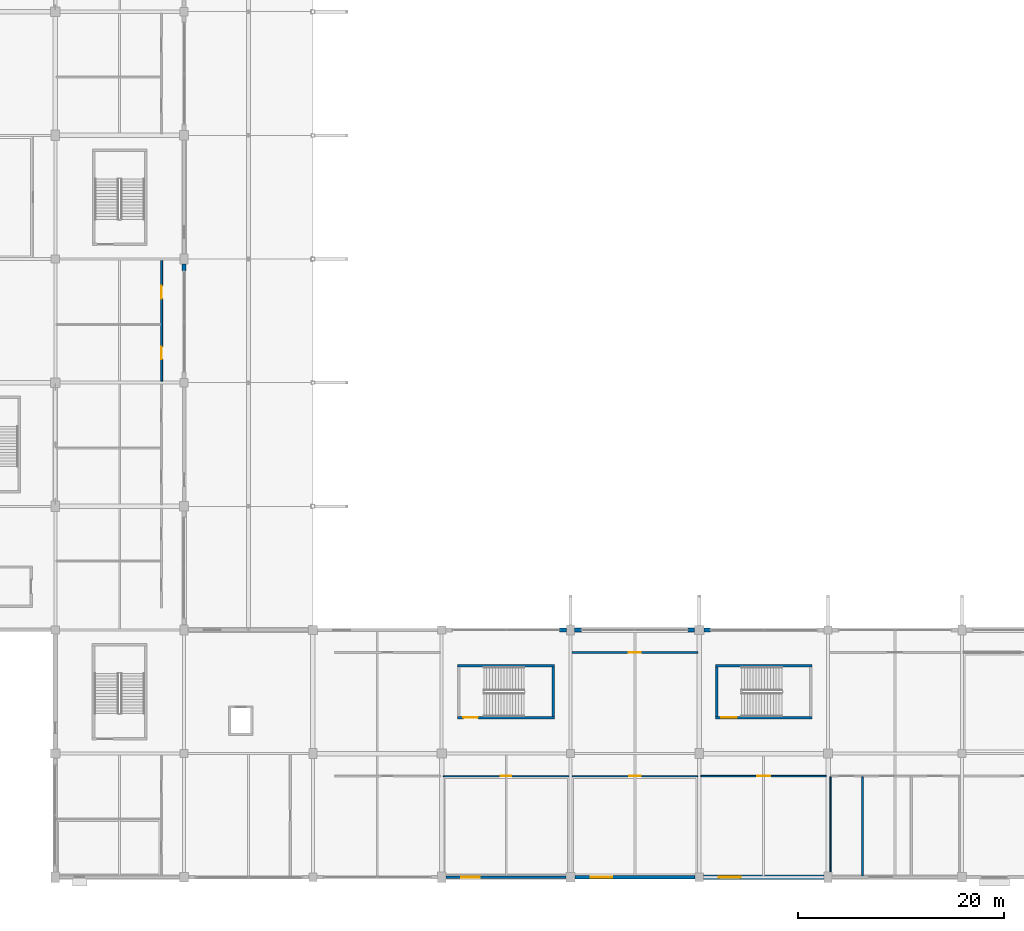
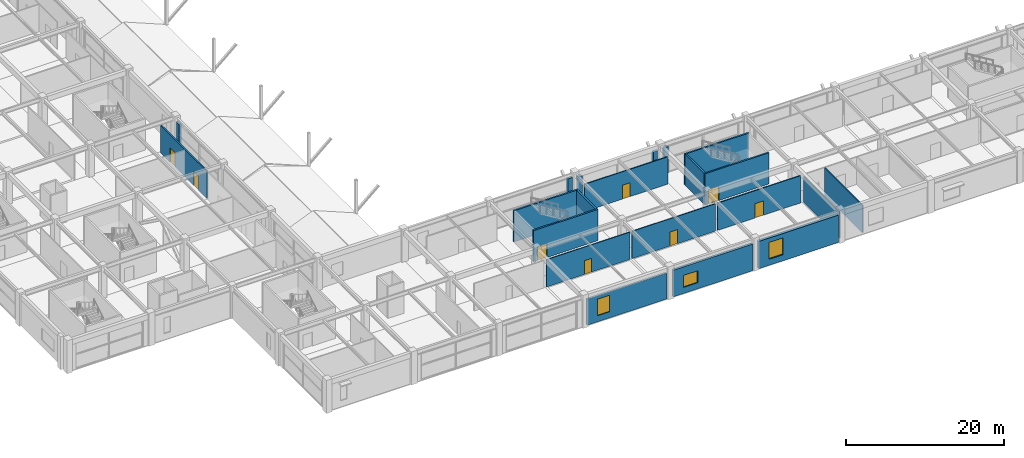
# One storey, part 68 of 116: 21 walls, 8 doors, 3 windows, 11 openings.
"""IFC4 building model written with IfcOpenShell, lengths in metres."""

from ifc_helpers import new_model, si_unit, direction, frame, frame_2d, origin, place, context, subcontext, project, spatial, rectangle, extrude, material, layer, layer_set, type_object, element, fill, save


model = new_model("IFC4")

# Units and contexts
model_context = context("Model", 3, precision=1e-05, world=origin(), true_north=direction((0.0, 1.0)))
body_context = subcontext(model_context, "Body", "Model", "MODEL_VIEW")
ifc_project = project(units=[si_unit("LENGTHUNIT", "METRE"), si_unit("AREAUNIT", "SQUARE_METRE"), si_unit("VOLUMEUNIT", "CUBIC_METRE"), si_unit("PLANEANGLEUNIT", "RADIAN"), si_unit("MASSUNIT", "GRAM", prefix="KILO")], contexts=[model_context])

# Site, building, storey
site_placement = place(None, origin())
site = spatial("IfcSite", under=ifc_project, at=site_placement, CompositionType="ELEMENT")
building_placement = place(site_placement, origin())
building = spatial("IfcBuilding", under=site, at=building_placement, Name="Kazenohara Klinker Stadium", CompositionType="ELEMENT")
storey_placement = place(building_placement, frame((0.0, 0.0, 10.199951171875)))
storey = spatial("IfcBuildingStorey", under=building, at=storey_placement, Name="L02", CompositionType="ELEMENT", Elevation=10.199951171875)

# Wall, opening, door
ifc_material_1 = material(Name="Concrete C40/50", Category="concrete")
ifc_layer_1 = layer(ifc_material_1, 0.22998046875)
ifc_layer_set_1 = layer_set([ifc_layer_1], Name="Concrete C40/50")
wall_type_1 = type_object("IfcWallType", Name="WAL-CORE-230", PredefinedType="SHEAR", material=ifc_layer_set_1)
wall_1_placement = place(storey_placement, frame((88.070068359375, 27.485107421875, 0.0), z_axis=(0.0, 0.0, 1.0), x_axis=(1.0, 0.0, 0.0)))
wall_1 = element("IfcWall", 1, at=wall_1_placement, inside=storey, type_object=wall_type_1, Name="Stairwell shear wall ST26 L02 South", PredefinedType="SHEAR", context=body_context, shape_type="SweptSolid", body=[
    extrude(rectangle(XDim=9.35986328125, YDim=0.22998046875, at=frame_2d((4.679931640625, 0.0))), origin(), (0.0, 0.0, 1.0), 4.820068359375),
])
opening_1_placement = place(wall_1_placement, frame((0.550048828125, 0.0, 0.0)))
opening_1 = element("IfcOpeningElement", 2, at=opening_1_placement, cuts=wall_1, Name="Opening SD02", PredefinedType="OPENING", context=body_context, shape_type="SweptSolid", body=[
    extrude(rectangle(XDim=1.5, YDim=2.199951171875, at=frame_2d((0.75, 1.10009765625))), frame((0.0, 0.125, 0.0), z_axis=(0.0, -1.0, 0.0), x_axis=(1.0, 0.0, 0.0)), (0.0, 0.0, 1.0), 0.25),
])
ifc_material_2 = material(Name="Flush painted steel fire door leaf", Category="steel")
door_type_1 = type_object("IfcDoorType", Name="DR-STR-1500x2200", OperationType="NOTDEFINED", PredefinedType="DOOR", material=ifc_material_2)
door_1_placement = place(opening_1_placement, origin())
door_1 = element("IfcDoor", 3, at=door_1_placement, inside=storey, type_object=door_type_1, Name="Escape stairwell fire door ST26-L02", OperationType="SINGLE_SWING_LEFT", OverallHeight=2.199951171875, OverallWidth=1.5, PredefinedType="DOOR", context=body_context, shape_type="SweptSolid", body=[
    extrude(rectangle(XDim=1.5, YDim=2.199951171875, at=frame_2d((0.75, 1.10009765625))), frame((0.0, 0.02490234375, 0.0), z_axis=(0.0, -1.0, 0.0), x_axis=(1.0, 0.0, 0.0)), (0.0, 0.0, 1.0), 0.050048828125),
])
fill(opening_1, door_1)

# Walls
wall_2_placement = place(storey_placement, frame((88.070068359375, 32.514892578125, 0.0), z_axis=(0.0, 0.0, 1.0), x_axis=(1.0, 0.0, 0.0)))
element("IfcWall", 4, at=wall_2_placement, inside=storey, type_object=wall_type_1, Name="Stairwell shear wall ST26 L02 North", PredefinedType="SHEAR", context=body_context, shape_type="SweptSolid", body=[
    extrude(rectangle(XDim=9.35986328125, YDim=0.22998046875, at=frame_2d((4.679931640625, 0.0))), origin(), (0.0, 0.0, 1.0), 4.820068359375),
])
wall_3_placement = place(storey_placement, frame((88.18505859375, 27.60009765625, 0.0), z_axis=(0.0, 0.0, 1.0), x_axis=(0.0, 1.0, 0.0)))
element("IfcWall", 5, at=wall_3_placement, inside=storey, type_object=wall_type_1, Name="Stairwell shear wall ST26 L02 West", PredefinedType="SHEAR", context=body_context, shape_type="SweptSolid", body=[
    extrude(rectangle(XDim=4.7998046875, YDim=0.22998046875, at=frame_2d((2.39990234375, 0.0))), origin(), (0.0, 0.0, 1.0), 4.820068359375),
])

# Wall, opening, door
ifc_layer_2 = layer(ifc_material_1, 0.25)
ifc_layer_set_2 = layer_set([ifc_layer_2], Name="Concrete C40/50")
wall_type_2 = type_object("IfcWallType", Name="WAL-CORE-250", PredefinedType="SHEAR", material=ifc_layer_set_2)
wall_4_placement = place(storey_placement, frame((63.050048828125, 27.485107421875, 0.0), z_axis=(0.0, 0.0, 1.0), x_axis=(1.0, 0.0, 0.0)))
wall_4 = element("IfcWall", 6, at=wall_4_placement, inside=storey, type_object=wall_type_2, Name="Stairwell shear wall ST25 L02 South", PredefinedType="SHEAR", context=body_context, shape_type="SweptSolid", body=[
    extrude(rectangle(XDim=9.39990234375, YDim=0.25, at=frame_2d((4.699951171875, 0.0))), origin(), (0.0, 0.0, 1.0), 4.820068359375),
])
opening_2_placement = place(wall_4_placement, frame((0.550048828125, 0.0, 0.0)))
opening_2 = element("IfcOpeningElement", 7, at=opening_2_placement, cuts=wall_4, Name="Opening SD01", PredefinedType="OPENING", context=body_context, shape_type="SweptSolid", body=[
    extrude(rectangle(XDim=1.39990234375, YDim=2.14990234375, at=frame_2d((0.699951171875, 1.074951171875))), frame((0.0, 0.135009765625, 0.0), z_axis=(0.0, -1.0, 0.0), x_axis=(1.0, 0.0, 0.0)), (0.0, 0.0, 1.0), 0.27001953125),
])
door_type_2 = type_object("IfcDoorType", Name="DR-STR-1400x2150", OperationType="NOTDEFINED", PredefinedType="DOOR", material=ifc_material_2)
door_2_placement = place(opening_2_placement, origin())
door_2 = element("IfcDoor", 8, at=door_2_placement, inside=storey, type_object=door_type_2, Name="Escape stairwell fire door ST25-L02", OperationType="SINGLE_SWING_LEFT", OverallHeight=2.14990234375, OverallWidth=1.39990234375, PredefinedType="DOOR", context=body_context, shape_type="SweptSolid", body=[
    extrude(rectangle(XDim=1.39990234375, YDim=2.14990234375, at=frame_2d((0.699951171875, 1.074951171875))), frame((0.0, 0.02490234375, 0.0), z_axis=(0.0, -1.0, 0.0), x_axis=(1.0, 0.0, 0.0)), (0.0, 0.0, 1.0), 0.050048828125),
])
fill(opening_2, door_2)

# Walls
wall_5_placement = place(storey_placement, frame((63.050048828125, 32.514892578125, 0.0), z_axis=(0.0, 0.0, 1.0), x_axis=(1.0, 0.0, 0.0)))
element("IfcWall", 9, at=wall_5_placement, inside=storey, type_object=wall_type_2, Name="Stairwell shear wall ST25 L02 North", PredefinedType="SHEAR", context=body_context, shape_type="SweptSolid", body=[
    extrude(rectangle(XDim=9.39990234375, YDim=0.25, at=frame_2d((4.699951171875, 0.0))), origin(), (0.0, 0.0, 1.0), 4.820068359375),
])
wall_6_placement = place(storey_placement, frame((72.324951171875, 27.610107421875, 0.0), z_axis=(0.0, 0.0, 1.0), x_axis=(0.0, 1.0, 0.0)))
element("IfcWall", 10, at=wall_6_placement, inside=storey, type_object=wall_type_2, Name="Stairwell shear wall ST25 L02 East", PredefinedType="SHEAR", context=body_context, shape_type="SweptSolid", body=[
    extrude(rectangle(XDim=4.77978515625, YDim=0.25, at=frame_2d((2.389892578125, 0.0))), origin(), (0.0, 0.0, 1.0), 4.820068359375),
])

# Wall, opening, window
ifc_material_3 = material(Name="Clinker brick masonry", Category="masonry")
ifc_layer_3 = layer(ifc_material_3, 0.280029296875)
ifc_layer_set_3 = layer_set([ifc_layer_3], Name="Clinker brick masonry")
wall_type_3 = type_object("IfcWallType", Name="WAL-EXT-CB280", PredefinedType="SOLIDWALL", material=ifc_layer_set_3)
wall_7_placement = place(storey_placement, frame((61.904052734375, 12.0, 0.0), z_axis=(0.0, 0.0, 1.0), x_axis=(1.0, 0.0, 0.0)))
wall_7 = element("IfcWall", 11, at=wall_7_placement, inside=storey, type_object=wall_type_3, Name="Clinker brick cavity wall EW06 L02 X5-1", PredefinedType="SOLIDWALL", context=body_context, shape_type="SweptSolid", body=[
    extrude(rectangle(XDim=11.641845703125, YDim=0.280029296875, at=frame_2d((5.82080078125, 0.0))), origin(), (0.0, 0.0, 1.0), 4.02001953125),
])
opening_3_placement = place(wall_7_placement, frame((1.5, 0.0, 0.949951171875)))
opening_3 = element("IfcOpeningElement", 12, at=opening_3_placement, cuts=wall_7, Name="Opening W15", PredefinedType="OPENING", context=body_context, shape_type="SweptSolid", body=[
    extrude(rectangle(XDim=1.800048828125, YDim=2.550048828125, at=frame_2d((0.89990234375, 1.27490234375))), frame((0.0, 0.14990234375, 0.0), z_axis=(0.0, -1.0, 0.0), x_axis=(1.0, 0.0, 0.0)), (0.0, 0.0, 1.0), 0.300048828125),
])
ifc_material_4 = material(Name="Dark bronze aluminium frame and triple glazing", Category="aluminium")
window_type_1 = type_object("IfcWindowType", Name="WIN-AS-15", PartitioningType="SINGLE_PANEL", PredefinedType="WINDOW", material=ifc_material_4)
window_1_placement = place(opening_3_placement, origin())
window_1 = element("IfcWindow", 13, at=window_1_placement, inside=storey, type_object=window_type_1, Name="Horizontal-mullion ladder window W15 L02 X5-1", OverallHeight=2.550048828125, OverallWidth=1.800048828125, PartitioningType="SINGLE_PANEL", PredefinedType="WINDOW", context=body_context, shape_type="SweptSolid", body=[
    extrude(rectangle(XDim=1.800048828125, YDim=2.550048828125, at=frame_2d((0.89990234375, 1.27490234375))), frame((0.0, 0.030029296875, 0.0), z_axis=(0.0, -1.0, 0.0), x_axis=(1.0, 0.0, 0.0)), (0.0, 0.0, 1.0), 0.06005859375),
])
fill(opening_3, window_1)

ifc_layer_4 = layer(ifc_material_3, 0.340087890625)
ifc_layer_set_4 = layer_set([ifc_layer_4], Name="Clinker brick masonry")
wall_type_4 = type_object("IfcWallType", Name="WAL-EXT-CB340", PredefinedType="SOLIDWALL", material=ifc_layer_set_4)
wall_8_placement = place(storey_placement, frame((74.4541015625, 12.0, 0.0), z_axis=(0.0, 0.0, 1.0), x_axis=(1.0, 0.0, 0.0)))
wall_8 = element("IfcWall", 14, at=wall_8_placement, inside=storey, type_object=wall_type_4, Name="Clinker brick cavity wall EW04 L02 X6-1", PredefinedType="SOLIDWALL", context=body_context, shape_type="SweptSolid", body=[
    extrude(rectangle(XDim=11.641845703125, YDim=0.340087890625, at=frame_2d((5.82080078125, 0.0))), origin(), (0.0, 0.0, 1.0), 4.1201171875),
])
opening_4_placement = place(wall_8_placement, frame((1.5, 0.0, 0.949951171875)))
opening_4 = element("IfcOpeningElement", 15, at=opening_4_placement, cuts=wall_8, Name="Opening W18", PredefinedType="OPENING", context=body_context, shape_type="SweptSolid", body=[
    extrude(rectangle(XDim=2.10009765625, YDim=1.85009765625, at=frame_2d((1.050048828125, 0.925048828125))), frame((0.0, 0.18017578125, 0.0), z_axis=(0.0, -1.0, 0.0), x_axis=(1.0, 0.0, 0.0)), (0.0, 0.0, 1.0), 0.360107421875),
])
window_type_2 = type_object("IfcWindowType", Name="WIN-AS-18", PartitioningType="SINGLE_PANEL", PredefinedType="WINDOW", material=ifc_material_4)
window_2_placement = place(opening_4_placement, origin())
window_2 = element("IfcWindow", 16, at=window_2_placement, inside=storey, type_object=window_type_2, Name="Horizontal-mullion ladder window W18 L02 X6-1", OverallHeight=1.85009765625, OverallWidth=2.10009765625, PartitioningType="SINGLE_PANEL", PredefinedType="WINDOW", context=body_context, shape_type="SweptSolid", body=[
    extrude(rectangle(XDim=2.10009765625, YDim=1.85009765625, at=frame_2d((1.050048828125, 0.925048828125))), frame((0.0, 0.030029296875, 0.0), z_axis=(0.0, -1.0, 0.0), x_axis=(1.0, 0.0, 0.0)), (0.0, 0.0, 1.0), 0.06005859375),
])
fill(opening_4, window_2)

# Walls
ifc_layer_5 = layer(ifc_material_3, 0.3701171875)
ifc_layer_set_5 = layer_set([ifc_layer_5], Name="Clinker brick masonry")
wall_type_5 = type_object("IfcWallType", Name="WAL-EXT-CB370", PredefinedType="SOLIDWALL", material=ifc_layer_set_5)
wall_9_placement = place(storey_placement, frame((36.5, 70.845947265625, 0.0), z_axis=(0.0, 0.0, 1.0), x_axis=(0.0, 1.0, 0.0)))
element("IfcWall", 17, at=wall_9_placement, inside=storey, type_object=wall_type_5, Name="Clinker brick curtain-wall jamb pier L02 Y3-5 B", PredefinedType="SOLIDWALL", context=body_context, shape_type="SweptSolid", body=[
    extrude(rectangle(XDim=0.650146484375, YDim=0.3701171875, at=frame_2d((0.3251953125, 0.0))), origin(), (0.0, 0.0, 1.0), 4.23193359375),
])
wall_10_placement = place(storey_placement, frame((72.946044921875, 36.0, 0.0), z_axis=(0.0, 0.0, 1.0), x_axis=(1.0, 0.0, 0.0)))
element("IfcWall", 18, at=wall_10_placement, inside=storey, type_object=wall_type_5, Name="Clinker brick curtain-wall jamb pier L02 X5-3 B", PredefinedType="SOLIDWALL", context=body_context, shape_type="SweptSolid", body=[
    extrude(rectangle(XDim=0.64990234375, YDim=0.3701171875, at=frame_2d((0.324951171875, 0.0))), origin(), (0.0, 0.0, 1.0), 4.219970703125),
])
for number, where, z_axis, x_axis, name in (
    (19, (74.404052734375, 36.0, 0.0), (0.0, 0.0, 1.0), (1.0, 0.0, 0.0), "Clinker brick curtain-wall jamb pier L02 X6-3 A"),
    (20, (85.39599609375, 36.0, 0.0), (0.0, 0.0, 1.0), (1.0, 0.0, 0.0), "Clinker brick curtain-wall jamb pier L02 X6-3 B"),
):
    element("IfcWall", number, at=place(storey_placement, frame(where, z_axis=z_axis, x_axis=x_axis)), inside=storey, type_object=wall_type_5, Name=name, PredefinedType="SOLIDWALL", context=body_context, shape_type="SweptSolid", body=[
        extrude(rectangle(XDim=0.64990234375, YDim=0.3701171875, at=frame_2d((0.324951171875, 0.0))), origin(), (0.0, 0.0, 1.0), 4.02001953125),
    ])
wall_11_placement = place(storey_placement, frame((86.9541015625, 36.0, 0.0), z_axis=(0.0, 0.0, 1.0), x_axis=(1.0, 0.0, 0.0)))
element("IfcWall", 21, at=wall_11_placement, inside=storey, type_object=wall_type_5, Name="Clinker brick curtain-wall jamb pier L02 X7-3 A", PredefinedType="SOLIDWALL", context=body_context, shape_type="SweptSolid", body=[
    extrude(rectangle(XDim=0.64990234375, YDim=0.3701171875, at=frame_2d((0.324951171875, 0.0))), origin(), (0.0, 0.0, 1.0), 4.1201171875),
])

# Wall, opening, window
ifc_layer_6 = layer(ifc_material_3, 0.409912109375)
ifc_layer_set_6 = layer_set([ifc_layer_6], Name="Clinker brick masonry")
wall_type_6 = type_object("IfcWallType", Name="WAL-EXT-CB410", PredefinedType="SOLIDWALL", material=ifc_layer_set_6)
wall_12_placement = place(storey_placement, frame((86.904052734375, 12.0, 0.0), z_axis=(0.0, 0.0, 1.0), x_axis=(1.0, 0.0, 0.0)))
wall_12 = element("IfcWall", 22, at=wall_12_placement, inside=storey, type_object=wall_type_6, Name="Clinker brick cavity wall EW02 L02 X7-1", PredefinedType="SOLIDWALL", context=body_context, shape_type="SweptSolid", body=[
    extrude(rectangle(XDim=11.69189453125, YDim=0.409912109375, at=frame_2d((5.845947265625, 0.0))), origin(), (0.0, 0.0, 1.0), 4.219970703125),
])
opening_5_placement = place(wall_12_placement, frame((1.5, 0.0, 0.949951171875)))
opening_5 = element("IfcOpeningElement", 23, at=opening_5_placement, cuts=wall_12, Name="Opening W20", PredefinedType="OPENING", context=body_context, shape_type="SweptSolid", body=[
    extrude(rectangle(XDim=2.10009765625, YDim=2.60009765625, at=frame_2d((1.050048828125, 1.300048828125))), frame((0.0, 0.21484375, 0.0), z_axis=(0.0, -1.0, 0.0), x_axis=(1.0, 0.0, 0.0)), (0.0, 0.0, 1.0), 0.429931640625),
])
window_type_3 = type_object("IfcWindowType", Name="WIN-AS-20", PartitioningType="SINGLE_PANEL", PredefinedType="WINDOW", material=ifc_material_4)
window_3_placement = place(opening_5_placement, origin())
window_3 = element("IfcWindow", 24, at=window_3_placement, inside=storey, type_object=window_type_3, Name="Horizontal-mullion ladder window W20 L02 X7-1", OverallHeight=2.60009765625, OverallWidth=2.10009765625, PartitioningType="SINGLE_PANEL", PredefinedType="WINDOW", context=body_context, shape_type="SweptSolid", body=[
    extrude(rectangle(XDim=2.10009765625, YDim=2.60009765625, at=frame_2d((1.050048828125, 1.300048828125))), frame((0.0, 0.030029296875, 0.0), z_axis=(0.0, -1.0, 0.0), x_axis=(1.0, 0.0, 0.0)), (0.0, 0.0, 1.0), 0.06005859375),
])
fill(opening_5, window_3)

# Wall, opening, door
ifc_material_5 = material(Name="Fire-rated gypsum board on acoustic studs", Category="gypsum")
ifc_layer_7 = layer(ifc_material_5, 0.1201171875)
ifc_layer_set_7 = layer_set([ifc_layer_7], Name="Fire-rated gypsum board on acoustic studs")
wall_type_7 = type_object("IfcWallType", Name="WAL-INT-P120", PredefinedType="PARTITIONING", material=ifc_layer_set_7)
wall_13_placement = place(storey_placement, frame((61.659912109375, 21.81005859375, 0.0), z_axis=(0.0, 0.0, 1.0), x_axis=(1.0, 0.0, 0.0)))
wall_13 = element("IfcWall", 25, at=wall_13_placement, inside=storey, type_object=wall_type_7, Name="Interior partition wall PT02 SPC-L02-05-01-1-1", PredefinedType="PARTITIONING", context=body_context, shape_type="SweptSolid", body=[
    extrude(rectangle(XDim=12.18017578125, YDim=0.1201171875, at=frame_2d((6.090087890625, 0.0))), origin(), (0.0, 0.0, 1.0), 4.219970703125),
])
opening_6_placement = place(wall_13_placement, frame((6.60498046875, 0.0, 0.0), z_axis=(0.0, 0.0, 1.0), x_axis=(-1.0, 0.0, 0.0)))
opening_6 = element("IfcOpeningElement", 26, at=opening_6_placement, cuts=wall_13, Name="Opening ID06", PredefinedType="OPENING", context=body_context, shape_type="SweptSolid", body=[
    extrude(rectangle(XDim=1.030029296875, YDim=2.1201171875, at=frame_2d((0.51513671875, 1.06005859375))), frame((0.0, 0.070068359375, 0.0), z_axis=(0.0, -1.0, 0.0), x_axis=(1.0, 0.0, 0.0)), (0.0, 0.0, 1.0), 0.14013671875),
])
ifc_material_6 = material(Name="Solid-core Hokkaido oak fire door", Category="wood")
door_type_3 = type_object("IfcDoorType", Name="DR-INT-06", OperationType="NOTDEFINED", PredefinedType="DOOR", material=ifc_material_6)
door_3_placement = place(opening_6_placement, origin())
door_3 = element("IfcDoor", 27, at=door_3_placement, inside=storey, type_object=door_type_3, Name="Interior door ID06 Sapporo Autumn Banquet Hall L02-0501A", OperationType="SINGLE_SWING_LEFT", OverallHeight=2.1201171875, OverallWidth=1.030029296875, PredefinedType="DOOR", context=body_context, shape_type="SweptSolid", body=[
    extrude(rectangle(XDim=1.030029296875, YDim=2.1201171875, at=frame_2d((0.51513671875, 1.06005859375))), frame((0.0, 0.02490234375, 0.0), z_axis=(0.0, -1.0, 0.0), x_axis=(1.0, 0.0, 0.0)), (0.0, 0.0, 1.0), 0.050048828125),
])
fill(opening_6, door_3)

wall_14_placement = place(storey_placement, frame((74.159912109375, 21.81005859375, 0.0), z_axis=(0.0, 0.0, 1.0), x_axis=(1.0, 0.0, 0.0)))
wall_14 = element("IfcWall", 28, at=wall_14_placement, inside=storey, type_object=wall_type_7, Name="Interior partition wall PT02 SPC-L02-06-01-1-1", PredefinedType="PARTITIONING", context=body_context, shape_type="SweptSolid", body=[
    extrude(rectangle(XDim=12.18017578125, YDim=0.1201171875, at=frame_2d((6.090087890625, 0.0))), origin(), (0.0, 0.0, 1.0), 4.219970703125),
])
opening_7_placement = place(wall_14_placement, frame((6.650146484375, 0.0, 0.0), z_axis=(0.0, 0.0, 1.0), x_axis=(-1.0, 0.0, 0.0)))
opening_7 = element("IfcOpeningElement", 29, at=opening_7_placement, cuts=wall_14, Name="Opening ID09", PredefinedType="OPENING", context=body_context, shape_type="SweptSolid", body=[
    extrude(rectangle(XDim=1.1201171875, YDim=2.179931640625, at=frame_2d((0.56005859375, 1.08984375))), frame((0.0, 0.070068359375, 0.0), z_axis=(0.0, -1.0, 0.0), x_axis=(1.0, 0.0, 0.0)), (0.0, 0.0, 1.0), 0.14013671875),
])
door_type_4 = type_object("IfcDoorType", Name="DR-INT-09", OperationType="NOTDEFINED", PredefinedType="DOOR", material=ifc_material_6)
door_4_placement = place(opening_7_placement, origin())
door_4 = element("IfcDoor", 30, at=door_4_placement, inside=storey, type_object=door_type_4, Name="Interior door ID09 Hospitality Culinary Catering Kitchen L02-0601A", OperationType="SINGLE_SWING_RIGHT", OverallHeight=2.179931640625, OverallWidth=1.1201171875, PredefinedType="DOOR", context=body_context, shape_type="SweptSolid", body=[
    extrude(rectangle(XDim=1.1201171875, YDim=2.179931640625, at=frame_2d((0.56005859375, 1.08984375))), frame((0.0, 0.02490234375, 0.0), z_axis=(0.0, -1.0, 0.0), x_axis=(1.0, 0.0, 0.0)), (0.0, 0.0, 1.0), 0.050048828125),
])
fill(opening_7, door_4)

# Wall
wall_15_placement = place(storey_placement, frame((99.239990234375, 12.50390625, 0.0), z_axis=(0.0, 0.0, 1.0), x_axis=(0.0, 1.0, 0.0)))
element("IfcWall", 31, at=wall_15_placement, inside=storey, type_object=wall_type_7, Name="Interior partition wall PT02 SPC-L02-08-01-1-1", PredefinedType="PARTITIONING", context=body_context, shape_type="SweptSolid", body=[
    extrude(rectangle(XDim=9.22607421875, YDim=0.1201171875, at=frame_2d((4.613037109375, 0.0))), origin(), (0.0, 0.0, 1.0), 3.97998046875),
])

# Wall, opening, door
ifc_layer_8 = layer(ifc_material_5, 0.14990234375)
ifc_layer_set_8 = layer_set([ifc_layer_8], Name="Fire-rated gypsum board on acoustic studs")
wall_type_8 = type_object("IfcWallType", Name="WAL-INT-P150", PredefinedType="PARTITIONING", material=ifc_layer_set_8)
wall_16_placement = place(storey_placement, frame((74.159912109375, 33.81005859375, 0.0), z_axis=(0.0, 0.0, 1.0), x_axis=(1.0, 0.0, 0.0)))
wall_16 = element("IfcWall", 32, at=wall_16_placement, inside=storey, type_object=wall_type_8, Name="Interior partition wall PT04 SPC-L02-06-02-1-1", PredefinedType="PARTITIONING", context=body_context, shape_type="SweptSolid", body=[
    extrude(rectangle(XDim=12.18017578125, YDim=0.14990234375, at=frame_2d((6.090087890625, 0.0))), origin(), (0.0, 0.0, 1.0), 4.219970703125),
])
opening_8_placement = place(wall_16_placement, frame((6.664794921875, 0.0, 0.0), z_axis=(0.0, 0.0, 1.0), x_axis=(-1.0, 0.0, 0.0)))
opening_8 = element("IfcOpeningElement", 33, at=opening_8_placement, cuts=wall_16, Name="Opening ID10", PredefinedType="OPENING", context=body_context, shape_type="SweptSolid", body=[
    extrude(rectangle(XDim=1.14990234375, YDim=2.14990234375, at=frame_2d((0.574951171875, 1.074951171875))), frame((0.0, 0.0849609375, 0.0), z_axis=(0.0, -1.0, 0.0), x_axis=(1.0, 0.0, 0.0)), (0.0, 0.0, 1.0), 0.169921875),
])
door_type_5 = type_object("IfcDoorType", Name="DR-INT-10", OperationType="NOTDEFINED", PredefinedType="DOOR", material=ifc_material_6)
door_5_placement = place(opening_8_placement, origin())
door_5 = element("IfcDoor", 34, at=door_5_placement, inside=storey, type_object=door_type_5, Name="Interior door ID10 Founders Club Hospitality Lounge L02-0602A", OperationType="SINGLE_SWING_LEFT", OverallHeight=2.14990234375, OverallWidth=1.14990234375, PredefinedType="DOOR", context=body_context, shape_type="SweptSolid", body=[
    extrude(rectangle(XDim=1.14990234375, YDim=2.14990234375, at=frame_2d((0.574951171875, 1.074951171875))), frame((0.0, 0.02490234375, 0.0), z_axis=(0.0, -1.0, 0.0), x_axis=(1.0, 0.0, 0.0)), (0.0, 0.0, 1.0), 0.050048828125),
])
fill(opening_8, door_5)

wall_17_placement = place(storey_placement, frame((86.659912109375, 21.81005859375, 0.0), z_axis=(0.0, 0.0, 1.0), x_axis=(1.0, 0.0, 0.0)))
wall_17 = element("IfcWall", 35, at=wall_17_placement, inside=storey, type_object=wall_type_8, Name="Interior partition wall PT04 SPC-L02-07-01-1-1", PredefinedType="PARTITIONING", context=body_context, shape_type="SweptSolid", body=[
    extrude(rectangle(XDim=12.18017578125, YDim=0.14990234375, at=frame_2d((6.090087890625, 0.0))), origin(), (0.0, 0.0, 1.0), 4.219970703125),
])
opening_9_placement = place(wall_17_placement, frame((6.7099609375, 0.0, 0.0), z_axis=(0.0, 0.0, 1.0), x_axis=(-1.0, 0.0, 0.0)))
opening_9 = element("IfcOpeningElement", 36, at=opening_9_placement, cuts=wall_17, Name="Opening ID13", PredefinedType="OPENING", context=body_context, shape_type="SweptSolid", body=[
    extrude(rectangle(XDim=1.239990234375, YDim=2.219970703125, at=frame_2d((0.6201171875, 1.10986328125))), frame((0.0, 0.0849609375, 0.0), z_axis=(0.0, -1.0, 0.0), x_axis=(1.0, 0.0, 0.0)), (0.0, 0.0, 1.0), 0.169921875),
])
door_type_6 = type_object("IfcDoorType", Name="DR-INT-13", OperationType="NOTDEFINED", PredefinedType="DOOR", material=ifc_material_6)
door_6_placement = place(opening_9_placement, origin())
door_6 = element("IfcDoor", 37, at=door_6_placement, inside=storey, type_object=door_type_6, Name="Interior door ID13 Sapporo Autumn Banquet Hall L02-0701A", OperationType="SINGLE_SWING_RIGHT", OverallHeight=2.219970703125, OverallWidth=1.239990234375, PredefinedType="DOOR", context=body_context, shape_type="SweptSolid", body=[
    extrude(rectangle(XDim=1.239990234375, YDim=2.219970703125, at=frame_2d((0.6201171875, 1.10986328125))), frame((0.0, 0.02490234375, 0.0), z_axis=(0.0, -1.0, 0.0), x_axis=(1.0, 0.0, 0.0)), (0.0, 0.0, 1.0), 0.050048828125),
])
fill(opening_9, door_6)

# Wall
ifc_layer_9 = layer(ifc_material_5, 0.169921875)
ifc_layer_set_9 = layer_set([ifc_layer_9], Name="Fire-rated gypsum board on acoustic studs")
wall_type_9 = type_object("IfcWallType", Name="WAL-INT-P170", PredefinedType="PARTITIONING", material=ifc_layer_set_9)
wall_18_placement = place(storey_placement, frame((102.34619140625, 12.14208984375, 0.0), z_axis=(0.0, 0.0, 1.0), x_axis=(0.0, 1.0, 0.0)))
element("IfcWall", 38, at=wall_18_placement, inside=storey, type_object=wall_type_9, Name="Interior partition wall PT05 SPC-L02-08-01-1-4", PredefinedType="PARTITIONING", context=body_context, shape_type="SweptSolid", body=[
    extrude(rectangle(XDim=9.587890625, YDim=0.169921875, at=frame_2d((4.7939453125, 0.0))), origin(), (0.0, 0.0, 1.0), 4.219970703125),
])

# Wall, openings, doors
ifc_layer_10 = layer(ifc_material_5, 0.18994140625)
ifc_layer_set_10 = layer_set([ifc_layer_10], Name="Fire-rated gypsum board on acoustic studs")
wall_type_10 = type_object("IfcWallType", Name="WAL-INT-P190", PredefinedType="PARTITIONING", material=ifc_layer_set_10)
wall_19_placement = place(storey_placement, frame((34.31005859375, 60.159912109375, 0.0), z_axis=(0.0, 0.0, 1.0), x_axis=(0.0, 1.0, 0.0)))
wall_19 = element("IfcWall", 39, at=wall_19_placement, inside=storey, type_object=wall_type_10, Name="Interior partition wall PT06 SPC-L02-02-05-1-1", PredefinedType="PARTITIONING", context=body_context, shape_type="SweptSolid", body=[
    extrude(rectangle(XDim=11.68017578125, YDim=0.18994140625, at=frame_2d((5.840087890625, 0.0))), origin(), (0.0, 0.0, 1.0), 4.219970703125),
])
opening_10_placement = place(wall_19_placement, frame((2.099853515625, 0.0, 0.0)))
opening_10 = element("IfcOpeningElement", 40, at=opening_10_placement, cuts=wall_19, Name="Opening ID12", PredefinedType="OPENING", context=body_context, shape_type="SweptSolid", body=[
    extrude(rectangle(XDim=1.2099609375, YDim=2.179931640625, at=frame_2d((0.60498046875, 1.08984375))), frame((0.0, 0.10498046875, 0.0), z_axis=(0.0, -1.0, 0.0), x_axis=(1.0, 0.0, 0.0)), (0.0, 0.0, 1.0), 0.2099609375),
])
opening_11_placement = place(wall_19_placement, frame((8.0048828125, 0.0, 0.0)))
opening_11 = element("IfcOpeningElement", 41, at=opening_11_placement, cuts=wall_19, Name="Opening ID13", PredefinedType="OPENING", context=body_context, shape_type="SweptSolid", body=[
    extrude(rectangle(XDim=1.239990234375, YDim=2.219970703125, at=frame_2d((0.6201171875, 1.10986328125))), frame((0.0, 0.10498046875, 0.0), z_axis=(0.0, -1.0, 0.0), x_axis=(1.0, 0.0, 0.0)), (0.0, 0.0, 1.0), 0.2099609375),
])
door_type_7 = type_object("IfcDoorType", Name="DR-INT-12", OperationType="NOTDEFINED", PredefinedType="DOOR", material=ifc_material_6)
door_7_placement = place(opening_10_placement, origin())
door_7 = element("IfcDoor", 42, at=door_7_placement, inside=storey, type_object=door_type_7, Name="Interior door ID12 Corporate Hospitality Viewing Suite L02-0205A", OperationType="SINGLE_SWING_LEFT", OverallHeight=2.179931640625, OverallWidth=1.2099609375, PredefinedType="DOOR", context=body_context, shape_type="SweptSolid", body=[
    extrude(rectangle(XDim=1.2099609375, YDim=2.179931640625, at=frame_2d((0.60498046875, 1.08984375))), frame((0.0, 0.02490234375, 0.0), z_axis=(0.0, -1.0, 0.0), x_axis=(1.0, 0.0, 0.0)), (0.0, 0.0, 1.0), 0.050048828125),
])
fill(opening_10, door_7)
door_8_placement = place(opening_11_placement, origin())
door_8 = element("IfcDoor", 43, at=door_8_placement, inside=storey, type_object=door_type_6, Name="Interior door ID13 Club Level Sommelier Wine Bar L02-0205B", OperationType="SINGLE_SWING_RIGHT", OverallHeight=2.219970703125, OverallWidth=1.239990234375, PredefinedType="DOOR", context=body_context, shape_type="SweptSolid", body=[
    extrude(rectangle(XDim=1.239990234375, YDim=2.219970703125, at=frame_2d((0.6201171875, 1.10986328125))), frame((0.0, 0.02490234375, 0.0), z_axis=(0.0, -1.0, 0.0), x_axis=(1.0, 0.0, 0.0)), (0.0, 0.0, 1.0), 0.050048828125),
])
fill(opening_11, door_8)

save(model, "model.ifc")
